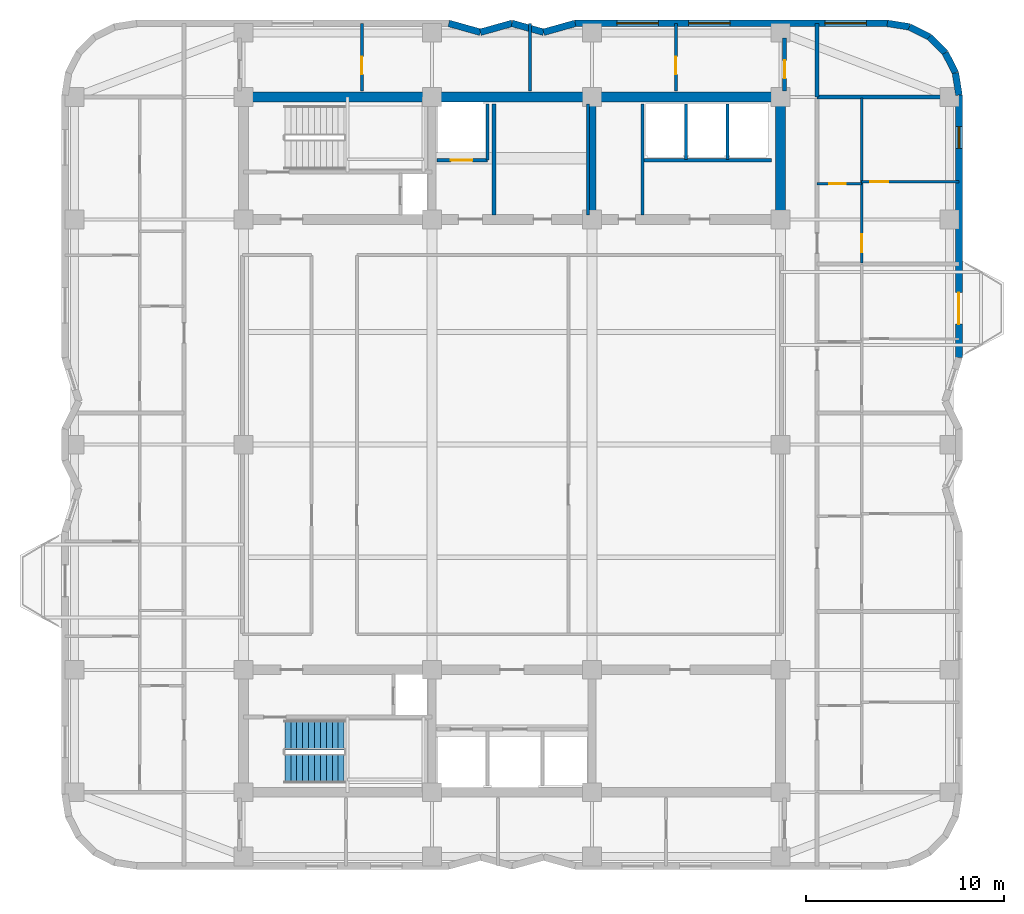
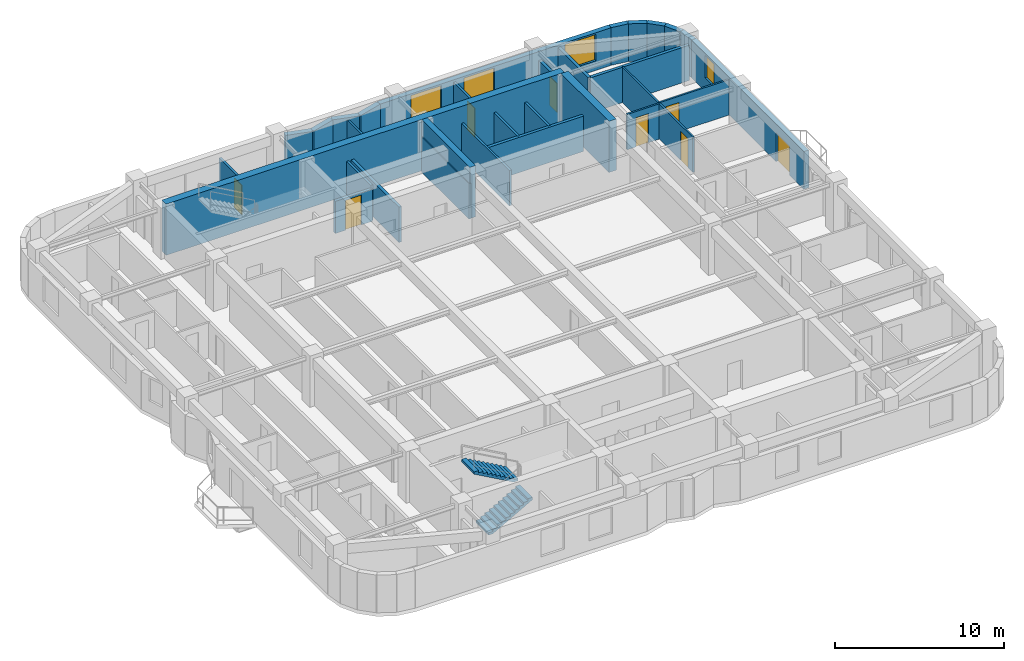
# One storey, part 6 of 9: 31 walls, 8 doors, 4 windows, 2 stair flights, 12 openings, 1 element without a shape of its own.
"""IFC4 building model written with IfcOpenShell, lengths in metres."""

from ifc_helpers import new_model, si_unit, direction, frame, frame_2d, origin, place, context, subcontext, project, spatial, polyline, rectangle, outline, extrude, material, layer, layer_set, type_object, element, fill, aggregate, save


model = new_model("IFC4")

# Units and contexts
model_context = context("Model", 3, precision=1e-05, world=origin(), true_north=direction((0.0, 1.0)))
body_context = subcontext(model_context, "Body", "Model", "MODEL_VIEW")
ifc_project = project(units=[si_unit("LENGTHUNIT", "METRE"), si_unit("AREAUNIT", "SQUARE_METRE"), si_unit("VOLUMEUNIT", "CUBIC_METRE"), si_unit("PLANEANGLEUNIT", "RADIAN"), si_unit("MASSUNIT", "GRAM", prefix="KILO")], contexts=[model_context])

# Site, building, storey
site_placement = place(None, origin())
site = spatial("IfcSite", under=ifc_project, at=site_placement, CompositionType="ELEMENT")
building_placement = place(site_placement, origin())
building = spatial("IfcBuilding", under=site, at=building_placement, Name="Svetorya Sky Lyceum", CompositionType="ELEMENT")
storey_placement = place(building_placement, frame((0.0, 0.0, 184.800048828125)))
storey = spatial("IfcBuildingStorey", under=building, at=storey_placement, Name="L46", CompositionType="ELEMENT", Elevation=184.800048828125)

# Walls
ifc_material_1 = material(Name="Concrete C40/50", Category="concrete")
ifc_layer_1 = layer(ifc_material_1, 0.39990234375)
ifc_layer_set_1 = layer_set([ifc_layer_1], Name="Concrete C40/50")
wall_type_1 = type_object("IfcWallType", Name="WL-CORE-400", PredefinedType="SHEAR", material=ifc_layer_set_1)
wall_1_placement = place(storey_placement, frame((43.25, 39.85009765625, 0.0), z_axis=(0.0, 0.0, 1.0), x_axis=(0.0, 1.0, 0.0)))
element("IfcWall", 1, at=wall_1_placement, inside=storey, type_object=wall_type_1, Name="L46 NC Internal Shear Web WEB2", PredefinedType="SHEAR", context=body_context, shape_type="SweptSolid", body=[
    extrude(rectangle(XDim=5.699951171875, YDim=0.39990234375, at=frame_2d((2.85009765625, 0.0))), origin(), (0.0, 0.0, 1.0), 3.699951171875),
])
ifc_material_2 = material(Name="Concrete C50/60", Category="concrete")
ifc_layer_2 = layer(ifc_material_2, 0.5)
ifc_layer_set_2 = layer_set([ifc_layer_2], Name="Concrete C50/60")
wall_type_2 = type_object("IfcWallType", Name="WL-CORE-500", PredefinedType="SHEAR", material=ifc_layer_set_2)
wall_2_placement = place(storey_placement, frame((25.60009765625, 45.800048828125, 0.0), z_axis=(0.0, 0.0, 1.0), x_axis=(1.0, 0.0, 0.0)))
element("IfcWall", 2, at=wall_2_placement, inside=storey, type_object=wall_type_2, Name="L46 NC Outer Core Shear Wall", PredefinedType="SHEAR", context=body_context, shape_type="SweptSolid", body=[
    extrude(rectangle(XDim=27.199951171875, YDim=0.5, at=frame_2d((13.60009765625, 0.0))), origin(), (0.0, 0.0, 1.0), 3.699951171875),
])
wall_3_placement = place(storey_placement, frame((52.800048828125, 39.85009765625, 0.0), z_axis=(0.0, 0.0, 1.0), x_axis=(0.0, 1.0, 0.0)))
element("IfcWall", 3, at=wall_3_placement, inside=storey, type_object=wall_type_2, Name="L46 NC East Core Shear Wall", PredefinedType="SHEAR", context=body_context, shape_type="SweptSolid", body=[
    extrude(rectangle(XDim=5.699951171875, YDim=0.5, at=frame_2d((2.85009765625, 0.0))), origin(), (0.0, 0.0, 1.0), 3.699951171875),
])

# Wall, openings, door, window
ifc_material_3 = material(Name="Putilovo limestone rainscreen on autoclaved cellular masonry", Category="masonry")
ifc_layer_3 = layer(ifc_material_3, 0.340087890625)
ifc_layer_set_3 = layer_set([ifc_layer_3], Name="Putilovo limestone rainscreen on autoclaved cellular masonry")
wall_type_3 = type_object("IfcWallType", Name="WL-EXT-340", PredefinedType="SOLIDWALL", material=ifc_layer_set_3)
wall_4_placement = place(storey_placement, frame((61.830078125, 32.60009765625, 0.0), z_axis=(0.0, 0.0, 1.0), x_axis=(0.0, 1.0, 0.0)))
wall_4 = element("IfcWall", 4, at=wall_4_placement, inside=storey, type_object=wall_type_3, Name="L46 Limestone Exterior Wall 23M", PredefinedType="SOLIDWALL", context=body_context, shape_type="SweptSolid", body=[
    extrude(rectangle(XDim=13.2998046875, YDim=0.340087890625, at=frame_2d((6.64990234375, 0.0))), origin(), (0.0, 0.0, 1.0), 2.719970703125),
])
opening_1_placement = place(wall_4_placement, frame((1.699951171875, 0.0, 0.0)))
opening_1 = element("IfcOpeningElement", 5, at=opening_1_placement, cuts=wall_4, Name="Opening D-BL1", PredefinedType="OPENING", context=body_context, shape_type="SweptSolid", body=[
    extrude(rectangle(XDim=1.60009765625, YDim=2.10009765625, at=frame_2d((0.800048828125, 1.050048828125))), frame((0.0, 0.179931640625, 0.0), z_axis=(0.0, -1.0, 0.0), x_axis=(1.0, 0.0, 0.0)), (0.0, 0.0, 1.0), 0.360107421875),
])
opening_2_placement = place(wall_4_placement, frame((10.60009765625, 0.0, 0.949951171875)))
opening_2 = element("IfcOpeningElement", 6, at=opening_2_placement, cuts=wall_4, Name="Opening W-R3", PredefinedType="OPENING", context=body_context, shape_type="SweptSolid", body=[
    extrude(rectangle(XDim=1.10009765625, YDim=1.64990234375, at=frame_2d((0.550048828125, 0.824951171875))), frame((0.0, 0.179931640625, 0.0), z_axis=(0.0, -1.0, 0.0), x_axis=(1.0, 0.0, 0.0)), (0.0, 0.0, 1.0), 0.360107421875),
])
ifc_material_4 = material(Name="Insulated glazed aluminium balcony door", Category="aluminium")
door_type_1 = type_object("IfcDoorType", Name="DR-BAL-1600", OperationType="DOUBLE_DOOR_SINGLE_SWING", PredefinedType="DOOR", material=ifc_material_4)
door_1_placement = place(opening_1_placement, origin())
door_1 = element("IfcDoor", 7, at=door_1_placement, inside=storey, type_object=door_type_1, Name="L46 Balcony BAL-E1 Door", OperationType="DOUBLE_DOOR_SINGLE_SWING", OverallHeight=2.10009765625, OverallWidth=1.60009765625, PredefinedType="DOOR", context=body_context, shape_type="SweptSolid", body=[
    extrude(rectangle(XDim=1.60009765625, YDim=2.10009765625, at=frame_2d((0.800048828125, 1.050048828125))), frame((0.0, 0.02490234375, 0.0), z_axis=(0.0, -1.0, 0.0), x_axis=(1.0, 0.0, 0.0)), (0.0, 0.0, 1.0), 0.050048828125),
])
fill(opening_1, door_1)
ifc_material_5 = material(Name="Thermally broken aluminium frame with triple low-E glazing", Category="aluminium")
window_type_1 = type_object("IfcWindowType", Name="WN-RES-110", PartitioningType="SINGLE_PANEL", PredefinedType="WINDOW", material=ifc_material_5)
window_1_placement = place(opening_2_placement, origin())
window_1 = element("IfcWindow", 8, at=window_1_placement, inside=storey, type_object=window_type_1, Name="L46 Facade Window W-R3.23M.1", OverallHeight=1.64990234375, OverallWidth=1.10009765625, PartitioningType="SINGLE_PANEL", PredefinedType="WINDOW", context=body_context, shape_type="SweptSolid", body=[
    extrude(rectangle(XDim=1.10009765625, YDim=1.64990234375, at=frame_2d((0.550048828125, 0.824951171875))), frame((0.0, 0.030029296875, 0.0), z_axis=(0.0, -1.0, 0.0), x_axis=(1.0, 0.0, 0.0)), (0.0, 0.0, 1.0), 0.06005859375),
])
fill(opening_2, window_1)

# Walls
for number, where, z_axis, x_axis, name in (
    (9, (61.830078125, 45.89990234375, 0.0), (0.0, 0.0, 1.0), (-0.156481329164, 0.987680916907, 0.0), "L46 Limestone Exterior Wall 24M"),
    (10, (61.65234375, 47.021728515625, 0.0), (0.0, 0.0, 1.0), (-0.453993402883, 0.891005044957, 0.0), "L46 Limestone Exterior Wall 25M"),
):
    element("IfcWall", number, at=place(storey_placement, frame(where, z_axis=z_axis, x_axis=x_axis)), inside=storey, type_object=wall_type_3, Name=name, PredefinedType="SOLIDWALL", context=body_context, shape_type="SweptSolid", body=[
        extrude(rectangle(XDim=1.1357421875, YDim=0.340087890625, at=frame_2d((0.56787109375, 0.0))), origin(), (0.0, 0.0, 1.0), 2.719970703125),
    ])
wall_5_placement = place(storey_placement, frame((61.13671875, 48.03369140625, 0.0), z_axis=(0.0, 0.0, 1.0), x_axis=(-0.707106781187, 0.707106781187, 0.0)))
element("IfcWall", 11, at=wall_5_placement, inside=storey, type_object=wall_type_3, Name="L46 Limestone Exterior Wall 26M", PredefinedType="SOLIDWALL", context=body_context, shape_type="SweptSolid", body=[
    extrude(rectangle(XDim=1.135498046875, YDim=0.340087890625, at=frame_2d((0.56787109375, 0.0))), origin(), (0.0, 0.0, 1.0), 2.719970703125),
])
for number, where, z_axis, x_axis, name in (
    (12, (60.333740234375, 48.836669921875, 0.0), (0.0, 0.0, 1.0), (-0.891005044957, 0.453993402883, 0.0), "L46 Limestone Exterior Wall 27M"),
    (13, (59.32177734375, 49.352294921875, 0.0), (0.0, 0.0, 1.0), (-0.987680916907, 0.156481329164, 0.0), "L46 Limestone Exterior Wall 28M"),
):
    element("IfcWall", number, at=place(storey_placement, frame(where, z_axis=z_axis, x_axis=x_axis)), inside=storey, type_object=wall_type_3, Name=name, PredefinedType="SOLIDWALL", context=body_context, shape_type="SweptSolid", body=[
        extrude(rectangle(XDim=1.1357421875, YDim=0.340087890625, at=frame_2d((0.56787109375, 0.0))), origin(), (0.0, 0.0, 1.0), 2.719970703125),
    ])

# Wall, openings, windows
wall_6_placement = place(storey_placement, frame((58.199951171875, 49.530029296875, 0.0), z_axis=(0.0, 0.0, 1.0), x_axis=(-1.0, 0.0, 0.0)))
wall_6 = element("IfcWall", 14, at=wall_6_placement, inside=storey, type_object=wall_type_3, Name="L46 Limestone Exterior Wall 29M", PredefinedType="SOLIDWALL", context=body_context, shape_type="SweptSolid", body=[
    extrude(rectangle(XDim=15.800048828125, YDim=0.340087890625, at=frame_2d((7.89990234375, 0.0))), origin(), (0.0, 0.0, 1.0), 2.719970703125),
])
opening_3_placement = place(wall_6_placement, frame((1.0625, 0.0, 0.699951171875)))
opening_3 = element("IfcOpeningElement", 15, at=opening_3_placement, cuts=wall_6, Name="Opening W-R0", PredefinedType="OPENING", context=body_context, shape_type="SweptSolid", body=[
    extrude(rectangle(XDim=2.10009765625, YDim=1.89990234375, at=frame_2d((1.050048828125, 0.949951171875))), frame((0.0, 0.179931640625, 0.0), z_axis=(0.0, -1.0, 0.0), x_axis=(1.0, 0.0, 0.0)), (0.0, 0.0, 1.0), 0.360107421875),
])
opening_4_placement = place(wall_6_placement, frame((7.96240234375, 0.0, 0.699951171875)))
opening_4 = element("IfcOpeningElement", 16, at=opening_4_placement, cuts=wall_6, Name="Opening W-R0", PredefinedType="OPENING", context=body_context, shape_type="SweptSolid", body=[
    extrude(rectangle(XDim=2.10009765625, YDim=1.89990234375, at=frame_2d((1.050048828125, 0.949951171875))), frame((0.0, 0.179931640625, 0.0), z_axis=(0.0, -1.0, 0.0), x_axis=(1.0, 0.0, 0.0)), (0.0, 0.0, 1.0), 0.360107421875),
])
opening_5_placement = place(wall_6_placement, frame((11.58740234375, 0.0, 0.699951171875)))
opening_5 = element("IfcOpeningElement", 17, at=opening_5_placement, cuts=wall_6, Name="Opening W-R0", PredefinedType="OPENING", context=body_context, shape_type="SweptSolid", body=[
    extrude(rectangle(XDim=2.10009765625, YDim=1.89990234375, at=frame_2d((1.050048828125, 0.949951171875))), frame((0.0, 0.179931640625, 0.0), z_axis=(0.0, -1.0, 0.0), x_axis=(1.0, 0.0, 0.0)), (0.0, 0.0, 1.0), 0.360107421875),
])
window_type_2 = type_object("IfcWindowType", Name="WN-RES-210", PartitioningType="TRIPLE_PANEL_VERTICAL", PredefinedType="WINDOW", material=ifc_material_5)
window_2_placement = place(opening_3_placement, origin())
window_2 = element("IfcWindow", 18, at=window_2_placement, inside=storey, type_object=window_type_2, Name="L46 Facade Window W-R0.29M.1", OverallHeight=1.89990234375, OverallWidth=2.10009765625, PartitioningType="SINGLE_PANEL", PredefinedType="WINDOW", context=body_context, shape_type="SweptSolid", body=[
    extrude(rectangle(XDim=2.10009765625, YDim=1.89990234375, at=frame_2d((1.050048828125, 0.949951171875))), frame((0.0, 0.030029296875, 0.0), z_axis=(0.0, -1.0, 0.0), x_axis=(1.0, 0.0, 0.0)), (0.0, 0.0, 1.0), 0.06005859375),
])
fill(opening_3, window_2)
window_3_placement = place(opening_4_placement, origin())
window_3 = element("IfcWindow", 19, at=window_3_placement, inside=storey, type_object=window_type_2, Name="L46 Facade Window W-R0.29M.2", OverallHeight=1.89990234375, OverallWidth=2.10009765625, PartitioningType="SINGLE_PANEL", PredefinedType="WINDOW", context=body_context, shape_type="SweptSolid", body=[
    extrude(rectangle(XDim=2.10009765625, YDim=1.89990234375, at=frame_2d((1.050048828125, 0.949951171875))), frame((0.0, 0.030029296875, 0.0), z_axis=(0.0, -1.0, 0.0), x_axis=(1.0, 0.0, 0.0)), (0.0, 0.0, 1.0), 0.06005859375),
])
fill(opening_4, window_3)
window_4_placement = place(opening_5_placement, origin())
window_4 = element("IfcWindow", 20, at=window_4_placement, inside=storey, type_object=window_type_2, Name="L46 Facade Window W-R0.29M.3", OverallHeight=1.89990234375, OverallWidth=2.10009765625, PartitioningType="SINGLE_PANEL", PredefinedType="WINDOW", context=body_context, shape_type="SweptSolid", body=[
    extrude(rectangle(XDim=2.10009765625, YDim=1.89990234375, at=frame_2d((1.050048828125, 0.949951171875))), frame((0.0, 0.030029296875, 0.0), z_axis=(0.0, -1.0, 0.0), x_axis=(1.0, 0.0, 0.0)), (0.0, 0.0, 1.0), 0.06005859375),
])
fill(opening_5, window_4)

# Walls
wall_7_placement = place(storey_placement, frame((42.39990234375, 49.530029296875, 0.0), z_axis=(0.0, 0.0, 1.0), x_axis=(-0.962652136636, -0.270741322725, 0.0)))
element("IfcWall", 21, at=wall_7_placement, inside=storey, type_object=wall_type_3, Name="L46 Limestone Exterior Wall 30M", PredefinedType="SOLIDWALL", context=body_context, shape_type="SweptSolid", body=[
    extrude(rectangle(XDim=1.661865234375, YDim=0.340087890625, at=frame_2d((0.8310546875, 0.0))), origin(), (0.0, 0.0, 1.0), 2.719970703125),
])
wall_8_placement = place(storey_placement, frame((40.800048828125, 49.080078125, 0.0), z_axis=(0.0, 0.0, 1.0), x_axis=(-0.962662902433, 0.270703040766, 0.0)))
element("IfcWall", 22, at=wall_8_placement, inside=storey, type_object=wall_type_3, Name="L46 Limestone Exterior Wall 31M", PredefinedType="SOLIDWALL", context=body_context, shape_type="SweptSolid", body=[
    extrude(rectangle(XDim=1.662109375, YDim=0.340087890625, at=frame_2d((0.8310546875, 0.0))), origin(), (0.0, 0.0, 1.0), 2.719970703125),
])
wall_9_placement = place(storey_placement, frame((39.199951171875, 49.530029296875, 0.0), z_axis=(0.0, 0.0, 1.0), x_axis=(-0.962652136636, -0.270741322725, 0.0)))
element("IfcWall", 23, at=wall_9_placement, inside=storey, type_object=wall_type_3, Name="L46 Limestone Exterior Wall 32M", PredefinedType="SOLIDWALL", context=body_context, shape_type="SweptSolid", body=[
    extrude(rectangle(XDim=1.661865234375, YDim=0.340087890625, at=frame_2d((0.8310546875, 0.0))), origin(), (0.0, 0.0, 1.0), 2.719970703125),
])
wall_10_placement = place(storey_placement, frame((37.60009765625, 49.080078125, 0.0), z_axis=(0.0, 0.0, 1.0), x_axis=(-0.962662902433, 0.270703040766, 0.0)))
element("IfcWall", 24, at=wall_10_placement, inside=storey, type_object=wall_type_3, Name="L46 Limestone Exterior Wall 33M", PredefinedType="SOLIDWALL", context=body_context, shape_type="SweptSolid", body=[
    extrude(rectangle(XDim=1.662109375, YDim=0.340087890625, at=frame_2d((0.8310546875, 0.0))), origin(), (0.0, 0.0, 1.0), 2.719970703125),
])

# Wall, opening, door
ifc_material_6 = material(Name="Twin-stud galvanized framing with double fireboard", Category="gypsum")
ifc_layer_4 = layer(ifc_material_6, 0.1201171875)
ifc_layer_set_4 = layer_set([ifc_layer_4], Name="Twin-stud galvanized framing with double fireboard")
wall_type_4 = type_object("IfcWallType", Name="WL-PART-120", PredefinedType="PARTITIONING", material=ifc_layer_set_4)
wall_11_placement = place(storey_placement, frame((54.64990234375, 41.412109375, 0.0), z_axis=(0.0, 0.0, 1.0), x_axis=(1.0, 0.0, 0.0)))
wall_11 = element("IfcWall", 25, at=wall_11_placement, inside=storey, type_object=wall_type_4, Name="L46 Interior Partition E4-WH1", PredefinedType="PARTITIONING", context=body_context, shape_type="SweptSolid", body=[
    extrude(rectangle(XDim=2.25, YDim=0.1201171875, at=frame_2d((1.125, 0.0))), origin(), (0.0, 0.0, 1.0), 2.550048828125),
])
opening_6_placement = place(wall_11_placement, frame((0.60009765625, 0.0, 0.0)))
opening_6 = element("IfcOpeningElement", 26, at=opening_6_placement, cuts=wall_11, Name="Opening D-BT1", PredefinedType="OPENING", context=body_context, shape_type="SweptSolid", body=[
    extrude(rectangle(XDim=0.85009765625, YDim=2.10009765625, at=frame_2d((0.425048828125, 1.050048828125))), frame((0.0, 0.070068359375, 0.0), z_axis=(0.0, -1.0, 0.0), x_axis=(1.0, 0.0, 0.0)), (0.0, 0.0, 1.0), 0.14013671875),
])
ifc_material_7 = material(Name="Moisture-resistant laminate bathroom door")
door_type_2 = type_object("IfcDoorType", Name="DR-WET-850", OperationType="SINGLE_SWING_LEFT", PredefinedType="DOOR", material=ifc_material_7)
door_2_placement = place(opening_6_placement, origin())
door_2 = element("IfcDoor", 27, at=door_2_placement, inside=storey, type_object=door_type_2, Name="Apartment E4 Bathroom Door", OperationType="SINGLE_SWING_LEFT", OverallHeight=2.10009765625, OverallWidth=0.85009765625, PredefinedType="DOOR", context=body_context, shape_type="SweptSolid", body=[
    extrude(rectangle(XDim=0.85009765625, YDim=2.10009765625, at=frame_2d((0.425048828125, 1.050048828125))), frame((0.0, 0.02490234375, 0.0), z_axis=(0.0, -1.0, 0.0), x_axis=(1.0, 0.0, 0.0)), (0.0, 0.0, 1.0), 0.050048828125),
])
fill(opening_6, door_2)

wall_12_placement = place(storey_placement, frame((56.89990234375, 41.501953125, 0.0), z_axis=(0.0, 0.0, 1.0), x_axis=(1.0, 0.0, 0.0)))
wall_12 = element("IfcWall", 28, at=wall_12_placement, inside=storey, type_object=wall_type_4, Name="L46 Interior Partition E4-WL1", PredefinedType="PARTITIONING", context=body_context, shape_type="SweptSolid", body=[
    extrude(rectangle(XDim=4.93017578125, YDim=0.1201171875, at=frame_2d((2.465087890625, 0.0))), origin(), (0.0, 0.0, 1.0), 2.550048828125),
])
opening_7_placement = place(wall_12_placement, frame((0.449951171875, 0.0, 0.0)))
opening_7 = element("IfcOpeningElement", 29, at=opening_7_placement, cuts=wall_12, Name="Opening D-RM1", PredefinedType="OPENING", context=body_context, shape_type="SweptSolid", body=[
    extrude(rectangle(XDim=0.89990234375, YDim=2.10009765625, at=frame_2d((0.449951171875, 1.050048828125))), frame((0.0, 0.070068359375, 0.0), z_axis=(0.0, -1.0, 0.0), x_axis=(1.0, 0.0, 0.0)), (0.0, 0.0, 1.0), 0.14013671875),
])
ifc_material_8 = material(Name="Lacquered birch veneer internal door")
door_type_3 = type_object("IfcDoorType", Name="DR-INT-900", OperationType="SINGLE_SWING_LEFT", PredefinedType="DOOR", material=ifc_material_8)
door_3_placement = place(opening_7_placement, origin())
door_3 = element("IfcDoor", 30, at=door_3_placement, inside=storey, type_object=door_type_3, Name="Apartment E4 Bedroom 1 Door", OperationType="SINGLE_SWING_LEFT", OverallHeight=2.10009765625, OverallWidth=0.89990234375, PredefinedType="DOOR", context=body_context, shape_type="SweptSolid", body=[
    extrude(rectangle(XDim=0.89990234375, YDim=2.10009765625, at=frame_2d((0.449951171875, 1.050048828125))), frame((0.0, 0.02490234375, 0.0), z_axis=(0.0, -1.0, 0.0), x_axis=(1.0, 0.0, 0.0)), (0.0, 0.0, 1.0), 0.050048828125),
])
fill(opening_7, door_3)

wall_13_placement = place(storey_placement, frame((56.89990234375, 37.39208984375, 0.0), z_axis=(0.0, 0.0, 1.0), x_axis=(0.0, 1.0, 0.0)))
wall_13 = element("IfcWall", 31, at=wall_13_placement, inside=storey, type_object=wall_type_4, Name="L46 Interior Partition E4-WV", PredefinedType="PARTITIONING", context=body_context, shape_type="SweptSolid", body=[
    extrude(rectangle(XDim=8.367919921875, YDim=0.1201171875, at=frame_2d((4.18408203125, 0.0))), origin(), (0.0, 0.0, 1.0), 2.550048828125),
])
opening_8_placement = place(wall_13_placement, frame((0.56005859375, 0.0, 0.0)))
opening_8 = element("IfcOpeningElement", 32, at=opening_8_placement, cuts=wall_13, Name="Opening D-RM1", PredefinedType="OPENING", context=body_context, shape_type="SweptSolid", body=[
    extrude(rectangle(XDim=0.89990234375, YDim=2.10009765625, at=frame_2d((0.449951171875, 1.050048828125))), frame((0.0, 0.070068359375, 0.0), z_axis=(0.0, -1.0, 0.0), x_axis=(1.0, 0.0, 0.0)), (0.0, 0.0, 1.0), 0.14013671875),
])
door_4_placement = place(opening_8_placement, origin())
door_4 = element("IfcDoor", 33, at=door_4_placement, inside=storey, type_object=door_type_3, Name="Apartment E4 Living Door", OperationType="SINGLE_SWING_RIGHT", OverallHeight=2.10009765625, OverallWidth=0.89990234375, PredefinedType="DOOR", context=body_context, shape_type="SweptSolid", body=[
    extrude(rectangle(XDim=0.89990234375, YDim=2.10009765625, at=frame_2d((0.449951171875, 1.050048828125))), frame((0.0, 0.02490234375, 0.0), z_axis=(0.0, -1.0, 0.0), x_axis=(1.0, 0.0, 0.0)), (0.0, 0.0, 1.0), 0.050048828125),
])
fill(opening_8, door_4)

# Walls
ifc_material_9 = material(Name="Autoclaved cellular masonry blockwork with acoustic render", Category="masonry")
ifc_layer_5 = layer(ifc_material_9, 0.14990234375)
ifc_layer_set_5 = layer_set([ifc_layer_5], Name="Autoclaved cellular masonry blockwork with acoustic render")
wall_type_5 = type_object("IfcWallType", Name="WL-PART-150", PredefinedType="PARTITIONING", material=ifc_layer_set_5)
wall_14_placement = place(storey_placement, frame((37.949951171875, 42.60009765625, 0.0), z_axis=(0.0, 0.0, 1.0), x_axis=(0.0, 1.0, 0.0)))
element("IfcWall", 34, at=wall_14_placement, inside=storey, type_object=wall_type_5, Name="L46 Interior Partition NC-FL1SIDE", PredefinedType="PARTITIONING", context=body_context, shape_type="SweptSolid", body=[
    extrude(rectangle(XDim=2.849853515625, YDim=0.14990234375, at=frame_2d((1.4248046875, 0.0))), origin(), (0.0, 0.0, 1.0), 2.550048828125),
])
for number, where, z_axis, x_axis, name in (
    (35, (43.050048828125, 39.820068359375, 0.0), (0.0, 0.0, 1.0), (0.0, 1.0, 0.0), "L46 Interior Partition NC-FPM-END"),
    (36, (45.800048828125, 39.820068359375, 0.0), (0.0, 0.0, 1.0), (0.0, 1.0, 0.0), "L46 Interior Partition NC-PM3-FULL"),
):
    element("IfcWall", number, at=place(storey_placement, frame(where, z_axis=z_axis, x_axis=x_axis)), inside=storey, type_object=wall_type_5, Name=name, PredefinedType="PARTITIONING", context=body_context, shape_type="SweptSolid", body=[
        extrude(rectangle(XDim=5.6298828125, YDim=0.14990234375, at=frame_2d((2.81494140625, 0.0))), origin(), (0.0, 0.0, 1.0), 2.550048828125),
    ])
for number, where, z_axis, x_axis, name in (
    (37, (48.0, 42.64990234375, 0.0), (0.0, 0.0, 1.0), (0.0, 1.0, 0.0), "L46 Interior Partition NC-PH-D1"),
    (38, (50.10009765625, 42.64990234375, 0.0), (0.0, 0.0, 1.0), (0.0, 1.0, 0.0), "L46 Interior Partition NC-PH-D2"),
):
    element("IfcWall", number, at=place(storey_placement, frame(where, z_axis=z_axis, x_axis=x_axis)), inside=storey, type_object=wall_type_5, Name=name, PredefinedType="PARTITIONING", context=body_context, shape_type="SweptSolid", body=[
        extrude(rectangle(XDim=2.800048828125, YDim=0.14990234375, at=frame_2d((1.39990234375, 0.0))), origin(), (0.0, 0.0, 1.0), 2.550048828125),
    ])

# Wall, opening, door
wall_15_placement = place(storey_placement, frame((31.60009765625, 46.10009765625, 0.0), z_axis=(0.0, 0.0, 1.0), x_axis=(0.0, 1.0, 0.0)))
wall_15 = element("IfcWall", 39, at=wall_15_placement, inside=storey, type_object=wall_type_5, Name="L46 Interior Partition N4-D1", PredefinedType="PARTITIONING", context=body_context, shape_type="SweptSolid", body=[
    extrude(rectangle(XDim=3.429931640625, YDim=0.14990234375, at=frame_2d((1.71484375, 0.0))), origin(), (0.0, 0.0, 1.0), 2.550048828125),
])
opening_9_placement = place(wall_15_placement, frame((0.85009765625, 0.0, 0.0)))
opening_9 = element("IfcOpeningElement", 40, at=opening_9_placement, cuts=wall_15, Name="Opening D-RM1", PredefinedType="OPENING", context=body_context, shape_type="SweptSolid", body=[
    extrude(rectangle(XDim=0.89990234375, YDim=2.10009765625, at=frame_2d((0.449951171875, 1.050048828125))), frame((0.0, 0.0849609375, 0.0), z_axis=(0.0, -1.0, 0.0), x_axis=(1.0, 0.0, 0.0)), (0.0, 0.0, 1.0), 0.169921875),
])
door_5_placement = place(opening_9_placement, origin())
door_5 = element("IfcDoor", 41, at=door_5_placement, inside=storey, type_object=door_type_3, Name="L46 North Suite Door 1", OperationType="SINGLE_SWING_RIGHT", OverallHeight=2.10009765625, OverallWidth=0.89990234375, PredefinedType="DOOR", context=body_context, shape_type="SweptSolid", body=[
    extrude(rectangle(XDim=0.89990234375, YDim=2.10009765625, at=frame_2d((0.449951171875, 1.050048828125))), frame((0.0, 0.02490234375, 0.0), z_axis=(0.0, -1.0, 0.0), x_axis=(1.0, 0.0, 0.0)), (0.0, 0.0, 1.0), 0.050048828125),
])
fill(opening_9, door_5)

# Wall
wall_16_placement = place(storey_placement, frame((40.10009765625, 46.10009765625, 0.0), z_axis=(0.0, 0.0, 1.0), x_axis=(0.0, 1.0, 0.0)))
element("IfcWall", 42, at=wall_16_placement, inside=storey, type_object=wall_type_5, Name="L46 Interior Partition N4-D2", PredefinedType="PARTITIONING", context=body_context, shape_type="SweptSolid", body=[
    extrude(rectangle(XDim=3.429931640625, YDim=0.14990234375, at=frame_2d((1.71484375, 0.0))), origin(), (0.0, 0.0, 1.0), 2.550048828125),
])

# Wall, opening, door
wall_17_placement = place(storey_placement, frame((47.5, 46.10009765625, 0.0), z_axis=(0.0, 0.0, 1.0), x_axis=(0.0, 1.0, 0.0)))
wall_17 = element("IfcWall", 43, at=wall_17_placement, inside=storey, type_object=wall_type_5, Name="L46 Interior Partition N4-D3", PredefinedType="PARTITIONING", context=body_context, shape_type="SweptSolid", body=[
    extrude(rectangle(XDim=3.429931640625, YDim=0.14990234375, at=frame_2d((1.71484375, 0.0))), origin(), (0.0, 0.0, 1.0), 2.550048828125),
])
opening_10_placement = place(wall_17_placement, frame((0.85009765625, 0.0, 0.0)))
opening_10 = element("IfcOpeningElement", 44, at=opening_10_placement, cuts=wall_17, Name="Opening D-RM1", PredefinedType="OPENING", context=body_context, shape_type="SweptSolid", body=[
    extrude(rectangle(XDim=0.89990234375, YDim=2.10009765625, at=frame_2d((0.449951171875, 1.050048828125))), frame((0.0, 0.0849609375, 0.0), z_axis=(0.0, -1.0, 0.0), x_axis=(1.0, 0.0, 0.0)), (0.0, 0.0, 1.0), 0.169921875),
])
door_6_placement = place(opening_10_placement, origin())
door_6 = element("IfcDoor", 45, at=door_6_placement, inside=storey, type_object=door_type_3, Name="L46 North Suite Door 3", OperationType="SINGLE_SWING_RIGHT", OverallHeight=2.10009765625, OverallWidth=0.89990234375, PredefinedType="DOOR", context=body_context, shape_type="SweptSolid", body=[
    extrude(rectangle(XDim=0.89990234375, YDim=2.10009765625, at=frame_2d((0.449951171875, 1.050048828125))), frame((0.0, 0.02490234375, 0.0), z_axis=(0.0, -1.0, 0.0), x_axis=(1.0, 0.0, 0.0)), (0.0, 0.0, 1.0), 0.050048828125),
])
fill(opening_10, door_6)

ifc_material_10 = material(Name="Autoclaved cellular masonry blockwork with gypsum plaster", Category="masonry")
ifc_layer_6 = layer(ifc_material_10, 0.199951171875)
ifc_layer_set_6 = layer_set([ifc_layer_6], Name="Autoclaved cellular masonry blockwork with gypsum plaster")
wall_type_6 = type_object("IfcWallType", Name="WL-PART-200", PredefinedType="PARTITIONING", material=ifc_layer_set_6)
wall_18_placement = place(storey_placement, frame((37.949951171875, 42.60009765625, 0.0), z_axis=(0.0, 0.0, 1.0), x_axis=(-1.0, 0.0, 0.0)))
wall_18 = element("IfcWall", 46, at=wall_18_placement, inside=storey, type_object=wall_type_6, Name="L46 Interior Partition NC-FL1W", PredefinedType="PARTITIONING", context=body_context, shape_type="SweptSolid", body=[
    extrude(rectangle(XDim=2.550048828125, YDim=0.199951171875, at=frame_2d((1.27490234375, 0.0))), origin(), (0.0, 0.0, 1.0), 2.320068359375),
])
opening_11_placement = place(wall_18_placement, frame((0.75, 0.0, 0.0)))
opening_11 = element("IfcOpeningElement", 47, at=opening_11_placement, cuts=wall_18, Name="Opening LD-FL", PredefinedType="OPENING", context=body_context, shape_type="SweptSolid", body=[
    extrude(rectangle(XDim=1.10009765625, YDim=2.14990234375, at=frame_2d((0.550048828125, 1.074951171875))), frame((0.0, 0.10986328125, 0.0), z_axis=(0.0, -1.0, 0.0), x_axis=(1.0, 0.0, 0.0)), (0.0, 0.0, 1.0), 0.219970703125),
])
ifc_material_11 = material(Name="Fire-rated stainless AISI 304 firefighting lift landing door")
door_type_4 = type_object("IfcDoorType", Name="DR-LIFT-1100", OperationType="SLIDING_TO_LEFT", PredefinedType="DOOR", material=ifc_material_11)
door_7_placement = place(opening_11_placement, origin())
door_7 = element("IfcDoor", 48, at=door_7_placement, inside=storey, type_object=door_type_4, Name="L46 Firefighting Lift FL1 Landing Door", OperationType="SLIDING_TO_LEFT", OverallHeight=2.14990234375, OverallWidth=1.10009765625, PredefinedType="DOOR", context=body_context, shape_type="SweptSolid", body=[
    extrude(rectangle(XDim=1.10009765625, YDim=2.14990234375, at=frame_2d((0.550048828125, 1.074951171875))), frame((0.0, 0.02490234375, 0.0), z_axis=(0.0, -1.0, 0.0), x_axis=(1.0, 0.0, 0.0)), (0.0, 0.0, 1.0), 0.050048828125),
])
fill(opening_11, door_7)

# Walls
wall_19_placement = place(storey_placement, frame((38.280029296875, 39.820068359375, 0.0), z_axis=(0.0, 0.0, 1.0), x_axis=(0.0, 1.0, 0.0)))
element("IfcWall", 49, at=wall_19_placement, inside=storey, type_object=wall_type_6, Name="L46 Interior Partition NC-FFLDIV", PredefinedType="PARTITIONING", context=body_context, shape_type="SweptSolid", body=[
    extrude(rectangle(XDim=5.6298828125, YDim=0.199951171875, at=frame_2d((2.81494140625, 0.0))), origin(), (0.0, 0.0, 1.0), 2.550048828125),
])
wall_20_placement = place(storey_placement, frame((52.35009765625, 42.60009765625, 0.0), z_axis=(0.0, 0.0, 1.0), x_axis=(-1.0, 0.0, 0.0)))
element("IfcWall", 50, at=wall_20_placement, inside=storey, type_object=wall_type_6, Name="L46 Interior Partition NC-PHEW", PredefinedType="PARTITIONING", context=body_context, shape_type="SweptSolid", body=[
    extrude(rectangle(XDim=6.5, YDim=0.199951171875, at=frame_2d((3.25, 0.0))), origin(), (0.0, 0.0, 1.0), 2.550048828125),
])
wall_21_placement = place(storey_placement, frame((54.64990234375, 45.800048828125, 0.0), z_axis=(0.0, 0.0, 1.0), x_axis=(1.0, 0.0, 0.0)))
element("IfcWall", 51, at=wall_21_placement, inside=storey, type_object=wall_type_6, Name="L46 Interior Partition E-CAP-N", PredefinedType="PARTITIONING", context=body_context, shape_type="SweptSolid", body=[
    extrude(rectangle(XDim=6.760009765625, YDim=0.199951171875, at=frame_2d((3.3798828125, 0.0))), origin(), (0.0, 0.0, 1.0), 2.550048828125),
])
wall_22_placement = place(storey_placement, frame((54.64990234375, 45.800048828125, 0.0), z_axis=(0.0, 0.0, 1.0), x_axis=(0.0, 1.0, 0.0)))
element("IfcWall", 52, at=wall_22_placement, inside=storey, type_object=wall_type_6, Name="L46 Interior Partition EC-NE-END", PredefinedType="PARTITIONING", context=body_context, shape_type="SweptSolid", body=[
    extrude(rectangle(XDim=3.72998046875, YDim=0.199951171875, at=frame_2d((1.864990234375, 0.0))), origin(), (0.0, 0.0, 1.0), 2.550048828125),
])

# Wall, opening, door
wall_23_placement = place(storey_placement, frame((53.0, 46.10009765625, 0.0), z_axis=(0.0, 0.0, 1.0), x_axis=(0.0, 1.0, 0.0)))
wall_23 = element("IfcWall", 53, at=wall_23_placement, inside=storey, type_object=wall_type_6, Name="L46 Interior Partition N4-EE", PredefinedType="PARTITIONING", context=body_context, shape_type="SweptSolid", body=[
    extrude(rectangle(XDim=2.679931640625, YDim=0.199951171875, at=frame_2d((1.33984375, 0.0))), origin(), (0.0, 0.0, 1.0), 2.550048828125),
])
opening_12_placement = place(wall_23_placement, frame((0.64990234375, 0.0, 0.0)))
opening_12 = element("IfcOpeningElement", 54, at=opening_12_placement, cuts=wall_23, Name="Opening D-RM1", PredefinedType="OPENING", context=body_context, shape_type="SweptSolid", body=[
    extrude(rectangle(XDim=0.89990234375, YDim=2.10009765625, at=frame_2d((0.449951171875, 1.050048828125))), frame((0.0, 0.10986328125, 0.0), z_axis=(0.0, -1.0, 0.0), x_axis=(1.0, 0.0, 0.0)), (0.0, 0.0, 1.0), 0.219970703125),
])
door_8_placement = place(opening_12_placement, origin())
door_8 = element("IfcDoor", 55, at=door_8_placement, inside=storey, type_object=door_type_3, Name="L46 NE Office Door", OperationType="SINGLE_SWING_LEFT", OverallHeight=2.10009765625, OverallWidth=0.89990234375, PredefinedType="DOOR", context=body_context, shape_type="SweptSolid", body=[
    extrude(rectangle(XDim=0.89990234375, YDim=2.10009765625, at=frame_2d((0.449951171875, 1.050048828125))), frame((0.0, 0.02490234375, 0.0), z_axis=(0.0, -1.0, 0.0), x_axis=(1.0, 0.0, 0.0)), (0.0, 0.0, 1.0), 0.050048828125),
])
fill(opening_12, door_8)

# Stair, stair flights
stair_type = type_object("IfcStairType", Name="STR-ST-S", PredefinedType="HALF_TURN_STAIR", material=ifc_material_1)
stair_placement = place(storey_placement, origin())
stair = element("IfcStair", 56, at=stair_placement, inside=storey, type_object=stair_type, Name="L46 South Core Smoke-Free Exit Stair N2", PredefinedType="HALF_TURN_STAIR")
stair_flight_type = type_object("IfcStairFlightType", Name="SFL-ST-S", PredefinedType="STRAIGHT", material=ifc_material_1)
stair_flight_1_placement = place(storey_placement, frame((27.699951171875, 11.800048828125, 0.0), z_axis=(0.0, 0.0, 1.0), x_axis=(1.0, 0.0, 0.0)))
stair_flight_1 = element("IfcStairFlight", 57, at=stair_flight_1_placement, type_object=stair_flight_type, Name="ST-S flight 1", NumberOfRisers=11, NumberOfTreads=10, PredefinedType="STRAIGHT", RiserHeight=0.168181818, TreadLength=0.3, context=body_context, shape_type="SweptSolid", body=[
    extrude(outline(polyline([(0.0, 0.0), (0.0, 0.168212890625), (0.300048828125, 0.168212890625), (0.300048828125, 0.33642578125), (0.60009765625, 0.33642578125), (0.60009765625, 0.504638671875), (0.89990234375, 0.504638671875), (0.89990234375, 0.672607421875), (1.199951171875, 0.672607421875), (1.199951171875, 0.8408203125), (1.5, 0.8408203125), (1.5, 1.009033203125), (1.800048828125, 1.009033203125), (1.800048828125, 1.17724609375), (2.10009765625, 1.17724609375), (2.10009765625, 1.345458984375), (2.39990234375, 1.345458984375), (2.39990234375, 1.513671875), (2.699951171875, 1.513671875), (2.699951171875, 1.681884765625), (3.0, 1.681884765625), (3.0, 1.85009765625), (3.0, 1.510009765625), (0.306640625, 0.0), (0.0, 0.0)])), frame((0.0, 0.75, 0.0), z_axis=(0.0, -1.0, 0.0), x_axis=(1.0, 0.0, 0.0)), (0.0, 0.0, 1.0), 1.5),
])
stair_flight_2_placement = place(storey_placement, frame((30.699951171875, 13.5, 1.849853515625), z_axis=(0.0, 0.0, 1.0), x_axis=(-1.0, 0.0, 0.0)))
stair_flight_2 = element("IfcStairFlight", 58, at=stair_flight_2_placement, type_object=stair_flight_type, Name="ST-S flight 2", NumberOfRisers=11, NumberOfTreads=10, PredefinedType="STRAIGHT", RiserHeight=0.168181818, TreadLength=0.3, context=body_context, shape_type="SweptSolid", body=[
    extrude(outline(polyline([(0.0, 0.0), (0.0, 0.168212890625), (0.300048828125, 0.168212890625), (0.300048828125, 0.33642578125), (0.60009765625, 0.33642578125), (0.60009765625, 0.504638671875), (0.89990234375, 0.504638671875), (0.89990234375, 0.672607421875), (1.199951171875, 0.672607421875), (1.199951171875, 0.8408203125), (1.5, 0.8408203125), (1.5, 1.009033203125), (1.800048828125, 1.009033203125), (1.800048828125, 1.17724609375), (2.10009765625, 1.17724609375), (2.10009765625, 1.345458984375), (2.39990234375, 1.345458984375), (2.39990234375, 1.513671875), (2.699951171875, 1.513671875), (2.699951171875, 1.681884765625), (3.0, 1.681884765625), (3.0, 1.85009765625), (3.0, 1.510009765625), (0.306640625, 0.0), (0.0, 0.0)])), frame((0.0, 0.75, 0.0), z_axis=(0.0, -1.0, 0.0), x_axis=(1.0, 0.0, 0.0)), (0.0, 0.0, 1.0), 1.5),
])
aggregate(stair, [stair_flight_1, stair_flight_2])

save(model, "model.ifc")
